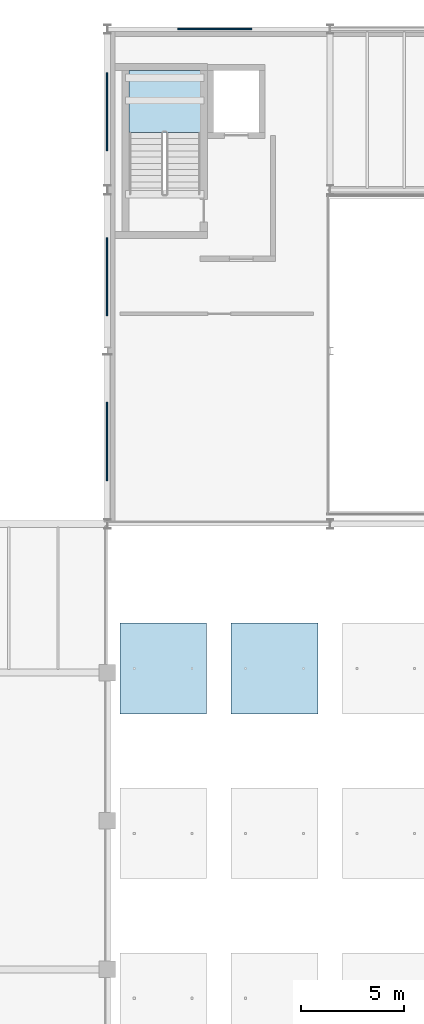
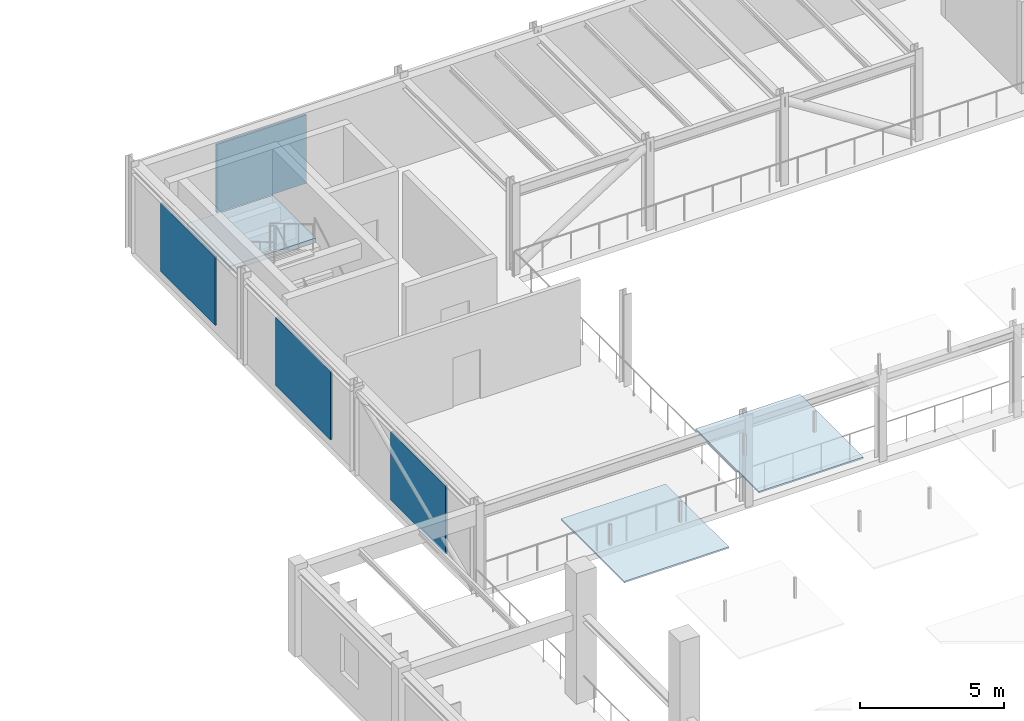
# One storey, part 11 of 44: 6 plates, 1 slab, 1 element without a shape of its own.
"""IFC4 building model written with IfcOpenShell, lengths in metres."""

import ifcopenshell
import ifcopenshell.guid

model = None  # the IFC model being written
_history = None  # IfcOwnerHistory: only IFC2X3 demands one
_inside = {}  # id of a spatial element -> (the spatial element, [elements in it])
_under = {}  # id of a project, library or spatial element -> (it, [spatial elements below it])
_declared = {}  # id of a project -> (the project, [libraries it declares])
_typed = {}  # id of a type object -> (the type object, [elements of that type])
_made_of = {}  # id of a material, layer set ... -> (it, [elements and type objects made of it])


def new_model(schema):
    """Start an empty IFC model of exactly this schema.

    Asked for "IFC4X3", IfcOpenShell would pick the latest addendum, in which some entities
    have other attributes; the version numbers below select the first issue.
    IFC2X3 requires an IfcOwnerHistory on every rooted entity: one is made here for all.
    """
    global model, _history
    if schema == "IFC4X3":
        model = ifcopenshell.file(schema_version=(4, 3, 0, 0))
    else:
        model = ifcopenshell.file(schema=schema)
    _inside.clear()
    _under.clear()
    _declared.clear()
    _typed.clear()
    _made_of.clear()
    _history = None
    if model.schema == "IFC2X3":
        org = make("IfcOrganization", Name="unknown")
        user = make(
            "IfcPersonAndOrganization",
            ThePerson=make("IfcPerson", FamilyName="unknown"),
            TheOrganization=org,
        )
        app = make(
            "IfcApplication",
            ApplicationDeveloper=org,
            Version="unknown",
            ApplicationFullName="unknown",
            ApplicationIdentifier="unknown",
        )
        _history = make(
            "IfcOwnerHistory",
            OwningUser=user,
            OwningApplication=app,
            ChangeAction="ADDED",
            CreationDate=0,
        )
    return model


def make(cls, **values):
    """One entity of the class cls with the attributes given. An attribute that is None is left unset."""
    return model.create_entity(
        cls, **{name: value for name, value in values.items() if value is not None}
    )


def rooted(cls, **values):
    """An entity with a GlobalId (a new one), such as an element, a storey or a relation."""
    return make(cls, GlobalId=ifcopenshell.guid.new(), OwnerHistory=_history, **values)


def si_unit(unit_type, name, prefix=None):
    """IfcSIUnit, for example si_unit("LENGTHUNIT", "METRE", prefix="MILLI")."""
    return make("IfcSIUnit", UnitType=unit_type, Prefix=prefix, Name=name)


def assignment(units):
    """IfcUnitAssignment: the units of a project."""
    return None if units is None else make("IfcUnitAssignment", Units=units)


def point(xyz):
    """IfcCartesianPoint."""
    return None if xyz is None else make("IfcCartesianPoint", Coordinates=xyz)


def direction(xyz):
    """IfcDirection."""
    return None if xyz is None else make("IfcDirection", DirectionRatios=xyz)


def frame(location, z_axis=None, x_axis=None):
    """IfcAxis2Placement3D, a coordinate frame: its origin and axes. An axis left out is left unset."""
    return make(
        "IfcAxis2Placement3D",
        Location=point(location),
        Axis=direction(z_axis),
        RefDirection=direction(x_axis),
    )


def frame_2d(location, x_axis=None):
    """IfcAxis2Placement2D, a coordinate frame in the plane: its origin and x axis."""
    return make(
        "IfcAxis2Placement2D", Location=point(location), RefDirection=direction(x_axis)
    )


def origin():
    """The frame at (0, 0, 0) with its axes left unset."""
    return frame((0.0, 0.0, 0.0))


def origin_2d():
    """The frame at (0, 0) in the plane with its x axis left unset."""
    return frame_2d((0.0, 0.0))


def place(relative_to, where):
    """IfcLocalPlacement: puts the frame where relative to a parent placement (None: the world)."""
    return make(
        "IfcLocalPlacement", PlacementRelTo=relative_to, RelativePlacement=where
    )


def context(
    kind, dimensions, precision=None, world=None, true_north=None, identifier=None
):
    """IfcGeometricRepresentationContext, for example the 3D "Model" context."""
    return make(
        "IfcGeometricRepresentationContext",
        ContextIdentifier=identifier,
        ContextType=kind,
        CoordinateSpaceDimension=dimensions,
        Precision=precision,
        WorldCoordinateSystem=world,
        TrueNorth=true_north,
    )


def subcontext(parent, identifier, kind, view, scale=None):
    """IfcGeometricRepresentationSubContext, for example "Body" below "Model"."""
    return make(
        "IfcGeometricRepresentationSubContext",
        ContextIdentifier=identifier,
        ContextType=kind,
        ParentContext=parent,
        TargetScale=scale,
        TargetView=view,
    )


def project(units=None, contexts=None):
    """IfcProject with its units and contexts."""
    return rooted(
        "IfcProject",
        Name="project",
        RepresentationContexts=contexts,
        UnitsInContext=assignment(units),
    )


def spatial(cls, under=None, at=None, **own):
    """A site, building, storey or space (cls), placed at a placement, below another one or the project."""
    s = rooted(cls, ObjectPlacement=at, **own)
    if under is not None:
        _under.setdefault(under.id(), (under, []))[1].append(s)
    return s


def polyline(points):
    """IfcPolyline through the points."""
    return make("IfcPolyline", Points=[point(p) for p in points])


def profile(cls, at=None, kind="AREA", **sizes):
    """A parametric profile (cls). Its sizes go by their IFC names, for example OverallWidth=200.0."""
    return make(cls, ProfileType=kind, Position=at, **sizes)


def rectangle(**sizes):
    """IfcRectangleProfileDef."""
    return profile("IfcRectangleProfileDef", **sizes)


def outline(outer, holes=None, kind="AREA"):
    """IfcArbitraryClosedProfileDef: a profile drawn as a closed curve; with holes, ...WithVoids."""
    if holes is None:
        return make("IfcArbitraryClosedProfileDef", ProfileType=kind, OuterCurve=outer)
    return make(
        "IfcArbitraryProfileDefWithVoids",
        ProfileType=kind,
        OuterCurve=outer,
        InnerCurves=holes,
    )


def extrude(swept, where, along, depth):
    """IfcExtrudedAreaSolid: the profile swept, set in the frame where, extruded along a direction by depth."""
    return make(
        "IfcExtrudedAreaSolid",
        SweptArea=swept,
        Position=where,
        ExtrudedDirection=direction(along),
        Depth=depth,
    )


def shape(context_of_items, identifier, shape_type, items):
    """IfcShapeRepresentation: the items that make up one representation, for example the "Body"."""
    return make(
        "IfcShapeRepresentation",
        ContextOfItems=context_of_items,
        RepresentationIdentifier=identifier,
        RepresentationType=shape_type,
        Items=items,
    )


def material(Name=None, Category=None):
    """IfcMaterial."""
    return make("IfcMaterial", Name=Name, Category=Category)


def layer(
    of_material, thickness, ventilated=None, Name=None, Category=None, Priority=None
):
    """IfcMaterialLayer: one layer of a wall or slab, of a material (None: an air gap)."""
    return make(
        "IfcMaterialLayer",
        Material=of_material,
        LayerThickness=thickness,
        IsVentilated=ventilated,
        Name=Name,
        Category=Category,
        Priority=Priority,
    )


def layer_set(layers, Name=None):
    """IfcMaterialLayerSet."""
    return make("IfcMaterialLayerSet", MaterialLayers=layers, LayerSetName=Name)


def made_of(thing, what):
    """Note that an element or type object is made of a material, layer set ...; save() writes the relation."""
    if what is not None:
        _made_of.setdefault(what.id(), (what, []))[1].append(thing)
    return thing


def type_object(cls, material=None, **own):
    """A type object (cls), such as IfcWallType, which elements share."""
    return made_of(rooted(cls, **own), material)


def element(
    cls,
    number,
    at=None,
    inside=None,
    cuts=None,
    type_object=None,
    material=None,
    context=None,
    identifier="Body",
    shape_type=None,
    held_by="IfcProductDefinitionShape",
    body=None,
    shapes=None,
    **own,
):
    """One element of the class cls, such as IfcWall. Its Tag is "e" and its number.

    at: its placement. inside: the storey or other place that contains it. cuts: it is an
    opening in that element (IfcRelVoidsElement). A single representation is given by context,
    identifier, shape_type and body (its items); several are given by shapes. held_by: the class
    of the entity that holds the representations. save() writes the other relations.
    """
    e = rooted(cls, Tag="e%d" % number, ObjectPlacement=at, **own)
    if body is not None:
        shapes = [shape(context, identifier, shape_type, body)]
    if shapes is not None:
        e.Representation = make(held_by, Representations=shapes)
    if inside is not None:
        _inside.setdefault(inside.id(), (inside, []))[1].append(e)
    if cuts is not None:
        rooted(
            "IfcRelVoidsElement", RelatingBuildingElement=cuts, RelatedOpeningElement=e
        )
    if type_object is not None:
        _typed.setdefault(type_object.id(), (type_object, []))[1].append(e)
    return made_of(e, material)


def aggregate(whole, parts):
    """IfcRelAggregates: a whole, such as a stair, and the parts it consists of."""
    return rooted("IfcRelAggregates", RelatingObject=whole, RelatedObjects=parts)


def save(model, path):
    """Write the relations noted so far, then the file.

    IfcRelAggregates (storeys below a building ...), IfcRelContainedInSpatialStructure (elements
    in a storey), IfcRelDefinesByType, IfcRelAssociatesMaterial and IfcRelDeclares: one each for
    every whole, place, type object, material and project.
    """
    for whole, parts in _under.values():
        aggregate(whole, parts)
    for where, things in _inside.values():
        rooted(
            "IfcRelContainedInSpatialStructure",
            RelatedElements=things,
            RelatingStructure=where,
        )
    for kind, things in _typed.values():
        rooted("IfcRelDefinesByType", RelatedObjects=things, RelatingType=kind)
    for what, things in _made_of.values():
        rooted("IfcRelAssociatesMaterial", RelatedObjects=things, RelatingMaterial=what)
    for by, libraries in _declared.values():
        rooted("IfcRelDeclares", RelatingContext=by, RelatedDefinitions=libraries)
    model.write(path)


model = new_model("IFC4")

# Units and contexts
model_context = context("Model", 3, precision=1e-05, world=origin(), true_north=direction((0.0, 1.0)))
body_context = subcontext(model_context, "Body", "Model", "MODEL_VIEW")
ifc_project = project(units=[si_unit("LENGTHUNIT", "METRE"), si_unit("AREAUNIT", "SQUARE_METRE"), si_unit("VOLUMEUNIT", "CUBIC_METRE"), si_unit("PLANEANGLEUNIT", "RADIAN"), si_unit("MASSUNIT", "GRAM", prefix="KILO")], contexts=[model_context])

# Site, building, storey
site_placement = place(None, origin())
site = spatial("IfcSite", under=ifc_project, at=site_placement, CompositionType="ELEMENT")
building_placement = place(site_placement, origin())
building = spatial("IfcBuilding", under=site, at=building_placement, Name="Tazoul Stagehouse", CompositionType="ELEMENT")
storey_placement = place(building_placement, frame((0.0, 0.0, 13.199951171875)))
storey = spatial("IfcBuildingStorey", under=building, at=storey_placement, Name="L03", CompositionType="ELEMENT", Elevation=13.199951171875)

# Stair, slab
ifc_material_1 = material(Name="Concrete C40/50", Category="concrete")
stair_type = type_object("IfcStairType", Name="Protected Core Dogleg Stair 3900", PredefinedType="HALF_TURN_STAIR", material=ifc_material_1)
stair_placement = place(storey_placement, origin())
stair = element("IfcStair", 1, at=stair_placement, inside=storey, type_object=stair_type, Name="L03 Core Escape Stair ST-03", PredefinedType="HALF_TURN_STAIR")
ifc_layer_1 = layer(ifc_material_1, 0.179931640625, Name="Concrete C40/50")
ifc_layer_set_1 = layer_set([ifc_layer_1], Name="Concrete C40/50")
slab_type = type_object("IfcSlabType", Name="Core Half-Landing Slab 180", PredefinedType="LANDING", material=ifc_layer_set_1)
slab_placement = place(storey_placement, frame((0.0, 0.0, 1.75)))
slab = element("IfcSlab", 2, at=slab_placement, type_object=slab_type, Name="ST-03 landing 1", PredefinedType="LANDING", context=body_context, shape_type="SweptSolid", body=[
    extrude(outline(polyline([(62.10009765625, 106.800048828125), (62.10009765625, 109.800048828125), (58.64990234375, 109.800048828125), (58.64990234375, 106.800048828125), (62.10009765625, 106.800048828125)])), origin(), (0.0, 0.0, 1.0), 0.199951171875),
])
aggregate(stair, [slab])

# Plates
ifc_material_2 = material(Name="Acoustic Cedar Timber", Category="wood")
ifc_layer_2 = layer(ifc_material_2, 0.06494140625, Name="Acoustic Cedar Timber")
ifc_layer_set_2 = layer_set([ifc_layer_2], Name="Acoustic Cedar Timber")
plate_type_1 = type_object("IfcPlateType", Name="Curved Cedar Acoustic Reflector Cloud 65", PredefinedType="USERDEFINED", material=ifc_layer_set_2)
for number, where, z_axis, x_axis, name in (
    (3, (60.300048828125, 80.800048828125, 5.773193359375), (0.0, 0.0, 1.0), (1.0, 0.0, 0.0), "Auditorium Acoustic Reflector Cloud ACP-01 1.3"),
    (4, (65.699951171875, 80.800048828125, 7.69287109375), (0.0, 0.0, 1.0), (1.0, 0.0, 0.0), "Auditorium Acoustic Reflector Cloud ACP-01 2.3"),
):
    element("IfcPlate", number, at=place(storey_placement, frame(where, z_axis=z_axis, x_axis=x_axis)), inside=storey, type_object=plate_type_1, Name=name, ObjectType="ACOUSTIC PANEL", PredefinedType="USERDEFINED", context=body_context, shape_type="SweptSolid", body=[
        extrude(rectangle(XDim=4.199951171875, YDim=4.39990234375, at=origin_2d()), origin(), (0.0, 0.0, 1.0), 0.06494140625),
    ])
ifc_material_3 = material(Name="Anodised Bronze Aluminium 6063-T6", Category="aluminium")
ifc_layer_3 = layer(ifc_material_3, 0.080078125, Name="Anodised Bronze Aluminium 6063-T6")
ifc_layer_set_3 = layer_set([ifc_layer_3], Name="Anodised Bronze Aluminium 6063-T6")
plate_type_2 = type_object("IfcPlateType", Name="Fly-Tower Acoustic Metal Cladding Cassette 80", PredefinedType="USERDEFINED", material=ifc_layer_set_3)
for number, where, z_axis, x_axis, name in (
    (5, (57.580078125, 91.800048828125, 0.375), (0.0, 0.0, 1.0), (0.0, 1.0, 0.0), "L03 Fly-Tower Metal Cladding Panel MTL-01 W1"),
    (6, (57.580078125, 99.800048828125, 0.375), (0.0, 0.0, 1.0), (0.0, 1.0, 0.0), "L03 Fly-Tower Metal Cladding Panel MTL-01 W2"),
    (7, (57.580078125, 107.800048828125, 0.375), (0.0, 0.0, 1.0), (0.0, 1.0, 0.0), "L03 Fly-Tower Metal Cladding Panel MTL-01 W3"),
):
    element("IfcPlate", number, at=place(storey_placement, frame(where, z_axis=z_axis, x_axis=x_axis)), inside=storey, type_object=plate_type_2, Name=name, ObjectType="CLADDING PANEL", PredefinedType="USERDEFINED", context=body_context, shape_type="SweptSolid", body=[
        extrude(rectangle(XDim=3.800048828125, YDim=0.080078125, at=origin_2d()), origin(), (0.0, 0.0, 1.0), 2.89990234375),
    ])
plate_placement = place(storey_placement, frame((62.800048828125, 111.820068359375, 0.375), z_axis=(0.0, 0.0, 1.0), x_axis=(1.0, 0.0, 0.0)))
element("IfcPlate", 8, at=plate_placement, inside=storey, type_object=plate_type_2, Name="L03 Fly-Tower Metal Cladding Panel MTL-01 N1", ObjectType="CLADDING PANEL", PredefinedType="USERDEFINED", context=body_context, shape_type="SweptSolid", body=[
    extrude(rectangle(XDim=3.60009765625, YDim=0.080078125, at=origin_2d()), origin(), (0.0, 0.0, 1.0), 2.89990234375),
])

save(model, "model.ifc")
